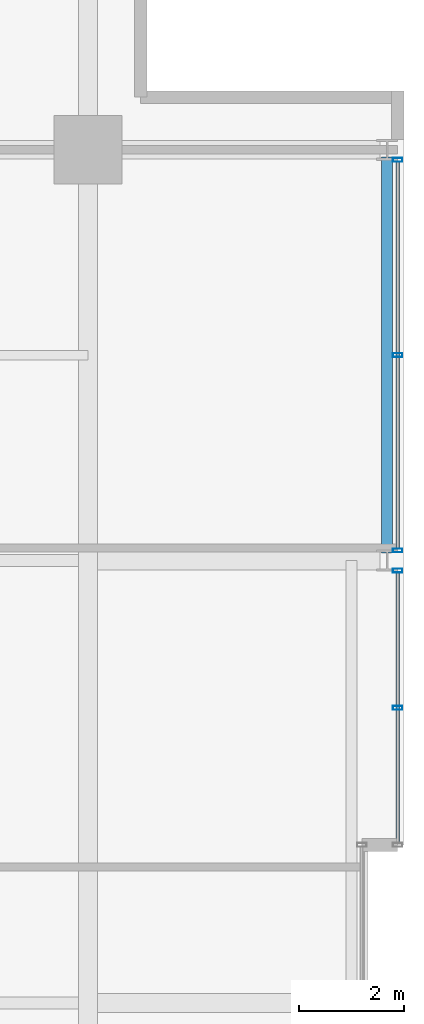
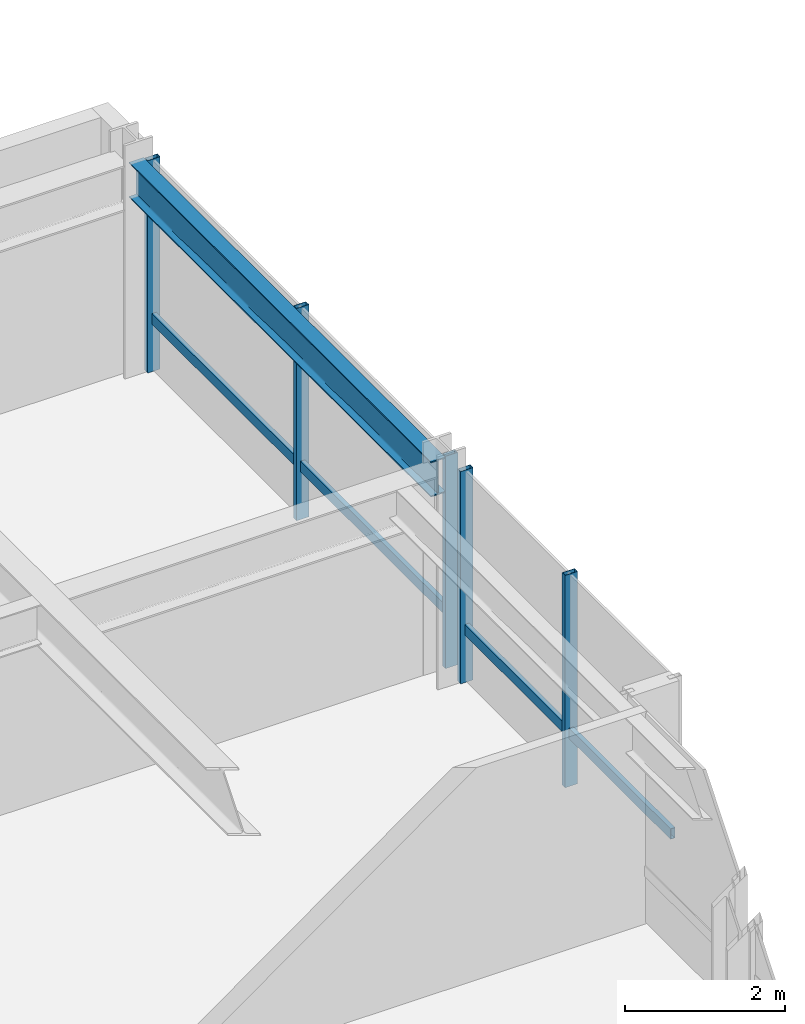
# One storey, part 23 of 33: 7 members, 1 beam, 2 elements without a shape of their own.
"""IFC4 building model written with IfcOpenShell, lengths in metres."""

from ifc_helpers import new_model, si_unit, direction, frame, origin, origin_2d, place, context, subcontext, project, spatial, hollow_rectangle, i_section, extrude, material, layer, layer_set, material_profile, profile_set, type_object, element, aggregate, save


model = new_model("IFC4")

# Units and contexts
model_context = context("Model", 3, precision=1e-05, world=origin(), true_north=direction((0.0, 1.0)))
body_context = subcontext(model_context, "Body", "Model", "MODEL_VIEW")
ifc_project = project(units=[si_unit("LENGTHUNIT", "METRE"), si_unit("AREAUNIT", "SQUARE_METRE"), si_unit("VOLUMEUNIT", "CUBIC_METRE"), si_unit("PLANEANGLEUNIT", "RADIAN"), si_unit("MASSUNIT", "GRAM", prefix="KILO")], contexts=[model_context])

# Site, building, storey
site_placement = place(None, origin())
site = spatial("IfcSite", under=ifc_project, at=site_placement, CompositionType="ELEMENT")
building_placement = place(site_placement, origin())
building = spatial("IfcBuilding", under=site, at=building_placement, Name="Drelvath Grand Hotel", CompositionType="ELEMENT")
storey_placement = place(building_placement, frame((0.0, 0.0, 196.550048828125)))
storey = spatial("IfcBuildingStorey", under=building, at=storey_placement, Name="L51", CompositionType="ELEMENT", Elevation=196.550048828125)

# Curtain wall, member
ifc_material_1 = material(Name="Brushed Pale-Silver Anodised Aluminium Frame", Category="aluminium")
ifc_layer = layer(ifc_material_1, 0.199951171875)
ifc_layer_set = layer_set([ifc_layer], Name="Brushed Pale-Silver Anodised Aluminium Frame")
curtain_wall_type = type_object("IfcCurtainWallType", Name="Stick Curtain Wall CW-04 Brushed Silver Upper-Mid", PredefinedType="NOTDEFINED", material=ifc_layer_set)
curtain_wall_1_placement = place(storey_placement, origin())
curtain_wall_1 = element("IfcCurtainWall", 1, at=curtain_wall_1_placement, inside=storey, type_object=curtain_wall_type, Name="L51 CW-04 Curtain Wall CW04-L51-EN1", PredefinedType="NOTDEFINED")
ifc_material_profile_1 = material_profile(ifc_material_1, hollow_rectangle(XDim=0.06494140625, YDim=0.159912109375, WallThickness=0.00390625, at=origin_2d()), Name="HSS160X65X4")
ifc_profile_set_1 = profile_set([ifc_material_profile_1], Name="Brushed Pale-Silver Anodised Aluminium Frame")
member_type_1 = type_object("IfcMemberType", Name="Curtain Wall Horizontal Transom CW-04 HSS160X65X4", PredefinedType="USERDEFINED", material=ifc_profile_set_1)
member_1_placement = place(storey_placement, frame((22.080078125, 35.16845703125, 0.807373046875), z_axis=(0.0, -1.0, 0.0), x_axis=(1.0, 0.0, 0.0)))
member_1 = element("IfcMember", 2, at=member_1_placement, type_object=member_type_1, Name="CW04-L51-EN1 Sill Transom", ObjectType="TRANSOM", PredefinedType="USERDEFINED", context=body_context, shape_type="SweptSolid", body=[
    extrude(hollow_rectangle(XDim=0.06494140625, YDim=0.159912109375, WallThickness=0.00390625, at=origin_2d()), origin(), (0.0, 0.0, 1.0), 5.12841796875),
])

curtain_wall_2_placement = place(storey_placement, origin())
curtain_wall_2 = element("IfcCurtainWall", 3, at=curtain_wall_2_placement, inside=storey, type_object=curtain_wall_type, Name="L51 CW-04 Curtain Wall CW04-L51-EN2", PredefinedType="NOTDEFINED")
member_2_placement = place(storey_placement, frame((22.080078125, 42.968505859375, 0.807373046875), z_axis=(0.0, -1.0, 0.0), x_axis=(1.0, 0.0, 0.0)))
member_2 = element("IfcMember", 4, at=member_2_placement, type_object=member_type_1, Name="CW04-L51-EN2 Sill Transom", ObjectType="TRANSOM", PredefinedType="USERDEFINED", context=body_context, shape_type="SweptSolid", body=[
    extrude(hollow_rectangle(XDim=0.06494140625, YDim=0.159912109375, WallThickness=0.00390625, at=origin_2d()), origin(), (0.0, 0.0, 1.0), 7.3369140625),
])

# Member
ifc_material_profile_2 = material_profile(ifc_material_1, hollow_rectangle(XDim=0.074951171875, YDim=0.179931640625, WallThickness=0.0048828125, at=origin_2d()), Name="HSS180X75X5")
ifc_profile_set_2 = profile_set([ifc_material_profile_2], Name="Brushed Pale-Silver Anodised Aluminium Frame")
member_type_2 = type_object("IfcMemberType", Name="Curtain Wall Vertical Mullion CW-04 HSS180X75X5", PredefinedType="MULLION", material=ifc_profile_set_2)
member_3_placement = place(storey_placement, frame((22.080078125, 35.20849609375, 0.0), z_axis=(0.0, 0.0, 1.0), x_axis=(0.0, 1.0, 0.0)))
member_3 = element("IfcMember", 5, at=member_3_placement, type_object=member_type_2, Name="CW04-L51-EN1 Mullion 1", PredefinedType="MULLION", context=body_context, shape_type="SweptSolid", body=[
    extrude(hollow_rectangle(XDim=0.074951171875, YDim=0.179931640625, WallThickness=0.0048828125, at=origin_2d()), origin(), (0.0, 0.0, 1.0), 3.22998046875),
])

member_4_placement = place(storey_placement, frame((22.080078125, 32.604248046875, 0.0), z_axis=(0.0, 0.0, 1.0), x_axis=(0.0, 1.0, 0.0)))
member_4 = element("IfcMember", 6, at=member_4_placement, type_object=member_type_2, Name="CW04-L51-EN1 Mullion 2", PredefinedType="MULLION", context=body_context, shape_type="SweptSolid", body=[
    extrude(hollow_rectangle(XDim=0.074951171875, YDim=0.179931640625, WallThickness=0.0048828125, at=origin_2d()), origin(), (0.0, 0.0, 1.0), 3.22998046875),
])

aggregate(curtain_wall_1, [member_3, member_4, member_1])

member_5_placement = place(storey_placement, frame((22.080078125, 43.00830078125, 0.0), z_axis=(0.0, 0.0, 1.0), x_axis=(0.0, 1.0, 0.0)))
member_5 = element("IfcMember", 7, at=member_5_placement, type_object=member_type_2, Name="CW04-L51-EN2 Mullion 1", PredefinedType="MULLION", context=body_context, shape_type="SweptSolid", body=[
    extrude(hollow_rectangle(XDim=0.074951171875, YDim=0.179931640625, WallThickness=0.0048828125, at=origin_2d()), origin(), (0.0, 0.0, 1.0), 3.22998046875),
])

member_6_placement = place(storey_placement, frame((22.080078125, 39.300048828125, 0.0), z_axis=(0.0, 0.0, 1.0), x_axis=(0.0, 1.0, 0.0)))
member_6 = element("IfcMember", 8, at=member_6_placement, type_object=member_type_2, Name="CW04-L51-EN2 Mullion 2", PredefinedType="MULLION", context=body_context, shape_type="SweptSolid", body=[
    extrude(hollow_rectangle(XDim=0.074951171875, YDim=0.179931640625, WallThickness=0.0048828125, at=origin_2d()), origin(), (0.0, 0.0, 1.0), 3.22998046875),
])

member_7_placement = place(storey_placement, frame((22.080078125, 35.591552734375, 0.0), z_axis=(0.0, 0.0, 1.0), x_axis=(0.0, 1.0, 0.0)))
member_7 = element("IfcMember", 9, at=member_7_placement, type_object=member_type_2, Name="CW04-L51-EN2 Mullion 3", PredefinedType="MULLION", context=body_context, shape_type="SweptSolid", body=[
    extrude(hollow_rectangle(XDim=0.074951171875, YDim=0.179931640625, WallThickness=0.0048828125, at=origin_2d()), origin(), (0.0, 0.0, 1.0), 3.22998046875),
])

aggregate(curtain_wall_2, [member_5, member_6, member_7, member_2])

# Beam
ifc_material_2 = material(Name="Steel ASTM A992 Gr 50", Category="steel")
ifc_material_profile_3 = material_profile(ifc_material_2, i_section(OverallWidth=0.210205078125, OverallDepth=0.53662109375, WebThickness=0.010986328125, FlangeThickness=0.017333984375, FilletRadius=0.01806640625, at=origin_2d()), Name="W21X68")
ifc_profile_set_3 = profile_set([ifc_material_profile_3], Name="Steel ASTM A992 Gr 50")
beam_type = type_object("IfcBeamType", Name="Perimeter Spandrel Beam W21X68", PredefinedType="SPANDREL", material=ifc_profile_set_3)
beam_placement = place(storey_placement, frame((21.8798828125, 35.5400390625, 2.961669921875), z_axis=(0.0, 1.0, 0.0), x_axis=(-1.0, 0.0, 0.0)))
element("IfcBeam", 10, at=beam_placement, inside=storey, type_object=beam_type, Name="L51 Spandrel East N", PredefinedType="SPANDREL", context=body_context, shape_type="SweptSolid", body=[
    extrude(i_section(OverallWidth=0.210205078125, OverallDepth=0.53662109375, WebThickness=0.010986328125, FlangeThickness=0.017333984375, FilletRadius=0.01806640625, at=origin_2d()), origin(), (0.0, 0.0, 1.0), 7.52001953125),
])

save(model, "model.ifc")
